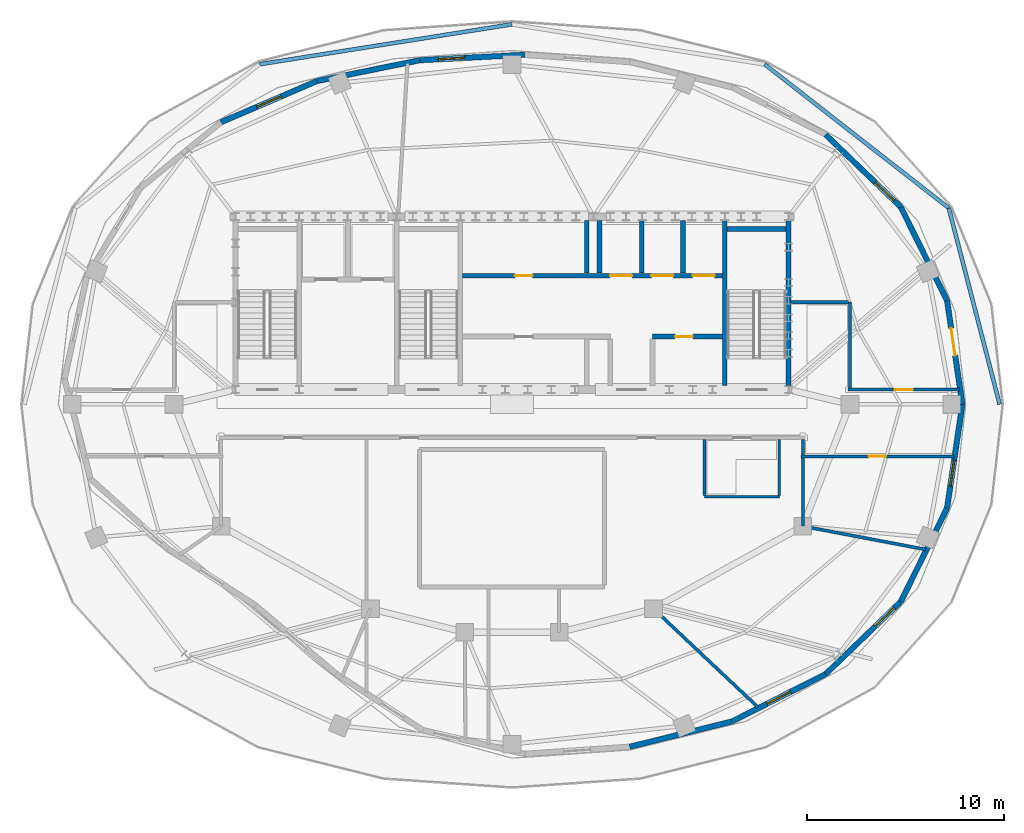
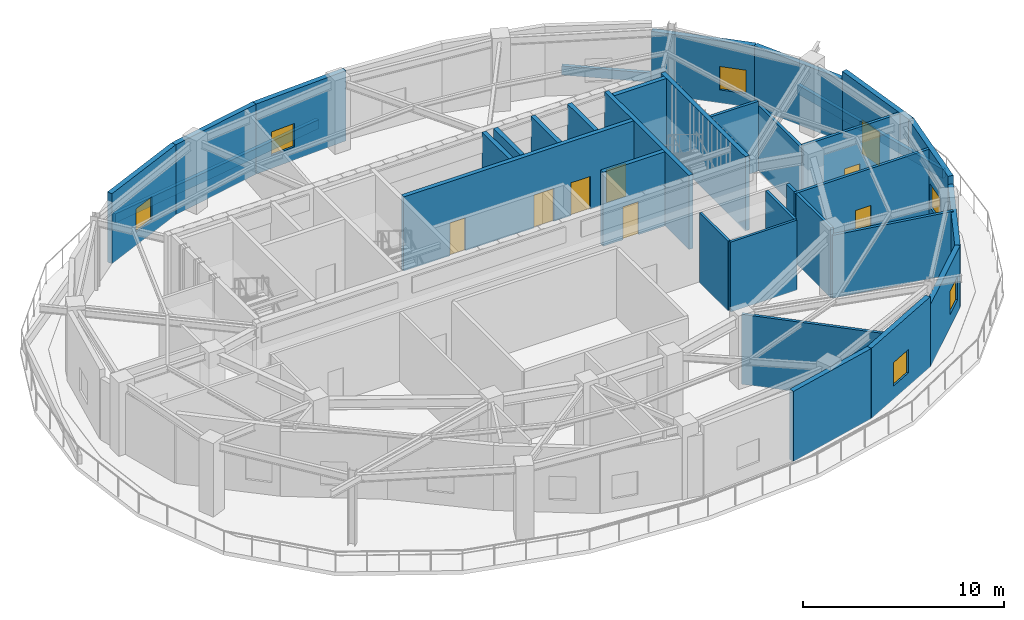
# One storey, part 5 of 10: 34 walls, 8 doors, 6 windows, 14 openings.
"""IFC4 building model written with IfcOpenShell, lengths in metres."""

import ifcopenshell
import ifcopenshell.guid

model = None  # the IFC model being written
_history = None  # IfcOwnerHistory: only IFC2X3 demands one
_inside = {}  # id of a spatial element -> (the spatial element, [elements in it])
_under = {}  # id of a project, library or spatial element -> (it, [spatial elements below it])
_declared = {}  # id of a project -> (the project, [libraries it declares])
_typed = {}  # id of a type object -> (the type object, [elements of that type])
_made_of = {}  # id of a material, layer set ... -> (it, [elements and type objects made of it])


def new_model(schema):
    """Start an empty IFC model of exactly this schema.

    Asked for "IFC4X3", IfcOpenShell would pick the latest addendum, in which some entities
    have other attributes; the version numbers below select the first issue.
    IFC2X3 requires an IfcOwnerHistory on every rooted entity: one is made here for all.
    """
    global model, _history
    if schema == "IFC4X3":
        model = ifcopenshell.file(schema_version=(4, 3, 0, 0))
    else:
        model = ifcopenshell.file(schema=schema)
    _inside.clear()
    _under.clear()
    _declared.clear()
    _typed.clear()
    _made_of.clear()
    _history = None
    if model.schema == "IFC2X3":
        org = make("IfcOrganization", Name="unknown")
        user = make(
            "IfcPersonAndOrganization",
            ThePerson=make("IfcPerson", FamilyName="unknown"),
            TheOrganization=org,
        )
        app = make(
            "IfcApplication",
            ApplicationDeveloper=org,
            Version="unknown",
            ApplicationFullName="unknown",
            ApplicationIdentifier="unknown",
        )
        _history = make(
            "IfcOwnerHistory",
            OwningUser=user,
            OwningApplication=app,
            ChangeAction="ADDED",
            CreationDate=0,
        )
    return model


def make(cls, **values):
    """One entity of the class cls with the attributes given. An attribute that is None is left unset."""
    return model.create_entity(
        cls, **{name: value for name, value in values.items() if value is not None}
    )


def rooted(cls, **values):
    """An entity with a GlobalId (a new one), such as an element, a storey or a relation."""
    return make(cls, GlobalId=ifcopenshell.guid.new(), OwnerHistory=_history, **values)


def si_unit(unit_type, name, prefix=None):
    """IfcSIUnit, for example si_unit("LENGTHUNIT", "METRE", prefix="MILLI")."""
    return make("IfcSIUnit", UnitType=unit_type, Prefix=prefix, Name=name)


def assignment(units):
    """IfcUnitAssignment: the units of a project."""
    return None if units is None else make("IfcUnitAssignment", Units=units)


def point(xyz):
    """IfcCartesianPoint."""
    return None if xyz is None else make("IfcCartesianPoint", Coordinates=xyz)


def direction(xyz):
    """IfcDirection."""
    return None if xyz is None else make("IfcDirection", DirectionRatios=xyz)


def frame(location, z_axis=None, x_axis=None):
    """IfcAxis2Placement3D, a coordinate frame: its origin and axes. An axis left out is left unset."""
    return make(
        "IfcAxis2Placement3D",
        Location=point(location),
        Axis=direction(z_axis),
        RefDirection=direction(x_axis),
    )


def frame_2d(location, x_axis=None):
    """IfcAxis2Placement2D, a coordinate frame in the plane: its origin and x axis."""
    return make(
        "IfcAxis2Placement2D", Location=point(location), RefDirection=direction(x_axis)
    )


def origin():
    """The frame at (0, 0, 0) with its axes left unset."""
    return frame((0.0, 0.0, 0.0))


def place(relative_to, where):
    """IfcLocalPlacement: puts the frame where relative to a parent placement (None: the world)."""
    return make(
        "IfcLocalPlacement", PlacementRelTo=relative_to, RelativePlacement=where
    )


def context(
    kind, dimensions, precision=None, world=None, true_north=None, identifier=None
):
    """IfcGeometricRepresentationContext, for example the 3D "Model" context."""
    return make(
        "IfcGeometricRepresentationContext",
        ContextIdentifier=identifier,
        ContextType=kind,
        CoordinateSpaceDimension=dimensions,
        Precision=precision,
        WorldCoordinateSystem=world,
        TrueNorth=true_north,
    )


def subcontext(parent, identifier, kind, view, scale=None):
    """IfcGeometricRepresentationSubContext, for example "Body" below "Model"."""
    return make(
        "IfcGeometricRepresentationSubContext",
        ContextIdentifier=identifier,
        ContextType=kind,
        ParentContext=parent,
        TargetScale=scale,
        TargetView=view,
    )


def project(units=None, contexts=None):
    """IfcProject with its units and contexts."""
    return rooted(
        "IfcProject",
        Name="project",
        RepresentationContexts=contexts,
        UnitsInContext=assignment(units),
    )


def spatial(cls, under=None, at=None, **own):
    """A site, building, storey or space (cls), placed at a placement, below another one or the project."""
    s = rooted(cls, ObjectPlacement=at, **own)
    if under is not None:
        _under.setdefault(under.id(), (under, []))[1].append(s)
    return s


def profile(cls, at=None, kind="AREA", **sizes):
    """A parametric profile (cls). Its sizes go by their IFC names, for example OverallWidth=200.0."""
    return make(cls, ProfileType=kind, Position=at, **sizes)


def rectangle(**sizes):
    """IfcRectangleProfileDef."""
    return profile("IfcRectangleProfileDef", **sizes)


def extrude(swept, where, along, depth):
    """IfcExtrudedAreaSolid: the profile swept, set in the frame where, extruded along a direction by depth."""
    return make(
        "IfcExtrudedAreaSolid",
        SweptArea=swept,
        Position=where,
        ExtrudedDirection=direction(along),
        Depth=depth,
    )


def shape(context_of_items, identifier, shape_type, items):
    """IfcShapeRepresentation: the items that make up one representation, for example the "Body"."""
    return make(
        "IfcShapeRepresentation",
        ContextOfItems=context_of_items,
        RepresentationIdentifier=identifier,
        RepresentationType=shape_type,
        Items=items,
    )


def material(Name=None, Category=None):
    """IfcMaterial."""
    return make("IfcMaterial", Name=Name, Category=Category)


def layer(
    of_material, thickness, ventilated=None, Name=None, Category=None, Priority=None
):
    """IfcMaterialLayer: one layer of a wall or slab, of a material (None: an air gap)."""
    return make(
        "IfcMaterialLayer",
        Material=of_material,
        LayerThickness=thickness,
        IsVentilated=ventilated,
        Name=Name,
        Category=Category,
        Priority=Priority,
    )


def layer_set(layers, Name=None):
    """IfcMaterialLayerSet."""
    return make("IfcMaterialLayerSet", MaterialLayers=layers, LayerSetName=Name)


def made_of(thing, what):
    """Note that an element or type object is made of a material, layer set ...; save() writes the relation."""
    if what is not None:
        _made_of.setdefault(what.id(), (what, []))[1].append(thing)
    return thing


def type_object(cls, material=None, **own):
    """A type object (cls), such as IfcWallType, which elements share."""
    return made_of(rooted(cls, **own), material)


def element(
    cls,
    number,
    at=None,
    inside=None,
    cuts=None,
    type_object=None,
    material=None,
    context=None,
    identifier="Body",
    shape_type=None,
    held_by="IfcProductDefinitionShape",
    body=None,
    shapes=None,
    **own,
):
    """One element of the class cls, such as IfcWall. Its Tag is "e" and its number.

    at: its placement. inside: the storey or other place that contains it. cuts: it is an
    opening in that element (IfcRelVoidsElement). A single representation is given by context,
    identifier, shape_type and body (its items); several are given by shapes. held_by: the class
    of the entity that holds the representations. save() writes the other relations.
    """
    e = rooted(cls, Tag="e%d" % number, ObjectPlacement=at, **own)
    if body is not None:
        shapes = [shape(context, identifier, shape_type, body)]
    if shapes is not None:
        e.Representation = make(held_by, Representations=shapes)
    if inside is not None:
        _inside.setdefault(inside.id(), (inside, []))[1].append(e)
    if cuts is not None:
        rooted(
            "IfcRelVoidsElement", RelatingBuildingElement=cuts, RelatedOpeningElement=e
        )
    if type_object is not None:
        _typed.setdefault(type_object.id(), (type_object, []))[1].append(e)
    return made_of(e, material)


def fill(opening, filler):
    """IfcRelFillsElement: the door or window that sits in an opening."""
    return rooted(
        "IfcRelFillsElement",
        RelatingOpeningElement=opening,
        RelatedBuildingElement=filler,
    )


def aggregate(whole, parts):
    """IfcRelAggregates: a whole, such as a stair, and the parts it consists of."""
    return rooted("IfcRelAggregates", RelatingObject=whole, RelatedObjects=parts)


def save(model, path):
    """Write the relations noted so far, then the file.

    IfcRelAggregates (storeys below a building ...), IfcRelContainedInSpatialStructure (elements
    in a storey), IfcRelDefinesByType, IfcRelAssociatesMaterial and IfcRelDeclares: one each for
    every whole, place, type object, material and project.
    """
    for whole, parts in _under.values():
        aggregate(whole, parts)
    for where, things in _inside.values():
        rooted(
            "IfcRelContainedInSpatialStructure",
            RelatedElements=things,
            RelatingStructure=where,
        )
    for kind, things in _typed.values():
        rooted("IfcRelDefinesByType", RelatedObjects=things, RelatingType=kind)
    for what, things in _made_of.values():
        rooted("IfcRelAssociatesMaterial", RelatedObjects=things, RelatingMaterial=what)
    for by, libraries in _declared.values():
        rooted("IfcRelDeclares", RelatingContext=by, RelatedDefinitions=libraries)
    model.write(path)


model = new_model("IFC4")

# Units and contexts
model_context = context("Model", 3, precision=1e-05, world=origin(), true_north=direction((0.0, 1.0)))
body_context = subcontext(model_context, "Body", "Model", "MODEL_VIEW")
ifc_project = project(units=[si_unit("LENGTHUNIT", "METRE"), si_unit("AREAUNIT", "SQUARE_METRE"), si_unit("VOLUMEUNIT", "CUBIC_METRE"), si_unit("PLANEANGLEUNIT", "RADIAN"), si_unit("MASSUNIT", "GRAM", prefix="KILO")], contexts=[model_context])

# Site, building, storey
site_placement = place(None, origin())
site = spatial("IfcSite", under=ifc_project, at=site_placement, CompositionType="ELEMENT")
building_placement = place(site_placement, origin())
building = spatial("IfcBuilding", under=site, at=building_placement, Name="Haldorwick Loom Tower", CompositionType="ELEMENT")
storey_placement = place(building_placement, frame((0.0, 0.0, 273.0)))
storey = spatial("IfcBuildingStorey", under=building, at=storey_placement, Name="L74", CompositionType="ELEMENT", Elevation=273.0)

# Wall, opening, door
ifc_material_1 = material(Name="Pressed Clay Face Brick and Insulated Masonry Backup Assembly", Category="masonry")
ifc_layer_1 = layer(ifc_material_1, 0.280029296875, Name="Pressed Clay Face Brick and Insulated Masonry Backup Assembly", Category="masonry")
ifc_layer_set_1 = layer_set([ifc_layer_1], Name="Pressed Clay Face Brick and Insulated Masonry Backup Assembly")
wall_type_1 = type_object("IfcWallType", Name="ARC-WL-EXT280", PredefinedType="STANDARD", material=ifc_layer_set_1)
wall_1_placement = place(storey_placement, frame((58.9208984375, 26.0, 0.0), z_axis=(0.0, 0.0, 1.0), x_axis=(-0.146373047203, 0.989229463296, 0.0)))
wall_1 = element("IfcWall", 1, at=wall_1_placement, inside=storey, type_object=wall_type_1, Name="L74 Brick Pier and Spandrel Wall 1", PredefinedType="STANDARD", context=body_context, shape_type="SweptSolid", body=[
    extrude(rectangle(XDim=5.3408203125, YDim=0.280029296875, at=frame_2d((2.67041015625, 0.0))), origin(), (0.0, 0.0, 1.0), 4.260009765625),
])
opening_1_placement = place(wall_1_placement, frame((2.513916015625, 0.0, 0.0)))
opening_1 = element("IfcOpeningElement", 2, at=opening_1_placement, cuts=wall_1, Name="Opening D-TR14", PredefinedType="OPENING", context=body_context, shape_type="SweptSolid", body=[
    extrude(rectangle(XDim=1.39990234375, YDim=2.0400390625, at=frame_2d((0.699951171875, 1.02001953125))), frame((0.0, 0.14990234375, 0.0), z_axis=(0.0, -1.0, 0.0), x_axis=(1.0, 0.0, 0.0)), (0.0, 0.0, 1.0), 0.300048828125),
])
ifc_material_2 = material(Name="Thermally Broken Anodized Aluminium Curtain Wall Framing", Category="aluminium")
door_type_1 = type_object("IfcDoorType", Name="ARC-DR-EXT-TER", OperationType="DOUBLE_DOOR_SINGLE_SWING", PredefinedType="DOOR", material=ifc_material_2)
door_1_placement = place(opening_1_placement, origin())
door_1 = element("IfcDoor", 3, at=door_1_placement, inside=storey, type_object=door_type_1, Name="L74 Outdoor Terrace Door SLB-L74-TERR-1", OperationType="DOUBLE_DOOR_SINGLE_SWING", OverallHeight=2.0400390625, OverallWidth=1.39990234375, PredefinedType="DOOR", context=body_context, shape_type="SweptSolid", body=[
    extrude(rectangle(XDim=1.39990234375, YDim=2.0400390625, at=frame_2d((0.699951171875, 1.02001953125))), frame((0.0, 0.02490234375, 0.0), z_axis=(0.0, -1.0, 0.0), x_axis=(1.0, 0.0, 0.0)), (0.0, 0.0, 1.0), 0.050048828125),
])
fill(opening_1, door_1)

# Wall
wall_2_placement = place(storey_placement, frame((58.13916015625, 31.283203125, 0.0), z_axis=(0.0, 0.0, 1.0), x_axis=(-0.443347832911, 0.89634965223, 0.0)))
element("IfcWall", 4, at=wall_2_placement, inside=storey, type_object=wall_type_1, Name="L74 Brick Pier and Spandrel Wall 2", PredefinedType="STANDARD", context=body_context, shape_type="SweptSolid", body=[
    extrude(rectangle(XDim=5.310791015625, YDim=0.280029296875, at=frame_2d((2.6552734375, 0.0))), origin(), (0.0, 0.0, 1.0), 3.76904296875),
])

# Wall, opening, window
wall_3_placement = place(storey_placement, frame((55.78466796875, 36.04345703125, 0.0), z_axis=(0.0, 0.0, 1.0), x_axis=(-0.720396737151, 0.693562211415, 0.0)))
wall_3 = element("IfcWall", 5, at=wall_3_placement, inside=storey, type_object=wall_type_1, Name="L74 Brick Pier and Spandrel Wall 3", PredefinedType="STANDARD", context=body_context, shape_type="SweptSolid", body=[
    extrude(rectangle(XDim=5.313232421875, YDim=0.280029296875, at=frame_2d((2.65673828125, 0.0))), origin(), (0.0, 0.0, 1.0), 3.76904296875),
])
opening_2_placement = place(wall_3_placement, frame((0.45947265625, 0.0, 0.800048828125)))
opening_2 = element("IfcOpeningElement", 6, at=opening_2_placement, cuts=wall_3, Name="Opening W-02B", PredefinedType="OPENING", context=body_context, shape_type="SweptSolid", body=[
    extrude(rectangle(XDim=1.35009765625, YDim=1.419921875, at=frame_2d((0.675048828125, 0.7099609375))), frame((0.0, 0.14990234375, 0.0), z_axis=(0.0, -1.0, 0.0), x_axis=(1.0, 0.0, 0.0)), (0.0, 0.0, 1.0), 0.300048828125),
])
ifc_material_3 = material(Name="Triple-Glazed Low-E Argon Insulated Glazing Unit", Category="glass")
window_type = type_object("IfcWindowType", Name="ARC-WIN-W135", PartitioningType="SINGLE_PANEL", PredefinedType="WINDOW", material=ifc_material_3)
window_1_placement = place(opening_2_placement, origin())
window_1 = element("IfcWindow", 7, at=window_1_placement, inside=storey, type_object=window_type, Name="L74 Deep-Set Zone 7A Window 3", OverallHeight=1.419921875, OverallWidth=1.35009765625, PartitioningType="SINGLE_PANEL", PredefinedType="WINDOW", context=body_context, shape_type="SweptSolid", body=[
    extrude(rectangle(XDim=1.35009765625, YDim=1.419921875, at=frame_2d((0.675048828125, 0.7099609375))), frame((0.0, 0.030029296875, 0.0), z_axis=(0.0, -1.0, 0.0), x_axis=(1.0, 0.0, 0.0)), (0.0, 0.0, 1.0), 0.06005859375),
])
fill(opening_2, window_1)

wall_4_placement = place(storey_placement, frame((36.6494140625, 43.7900390625, 0.0), z_axis=(0.0, 0.0, 1.0), x_axis=(-0.998661002184, -0.051732027957, 0.0)))
wall_4 = element("IfcWall", 8, at=wall_4_placement, inside=storey, type_object=wall_type_1, Name="L74 Brick Pier and Spandrel Wall 7", PredefinedType="STANDARD", context=body_context, shape_type="SweptSolid", body=[
    extrude(rectangle(XDim=5.346923828125, YDim=0.280029296875, at=frame_2d((2.67333984375, 0.0))), origin(), (0.0, 0.0, 1.0), 4.260009765625),
])
opening_3_placement = place(wall_4_placement, frame((3.053955078125, 0.0, 0.800048828125)))
opening_3 = element("IfcOpeningElement", 9, at=opening_3_placement, cuts=wall_4, Name="Opening W-02B", PredefinedType="OPENING", context=body_context, shape_type="SweptSolid", body=[
    extrude(rectangle(XDim=1.35009765625, YDim=1.419921875, at=frame_2d((0.675048828125, 0.7099609375))), frame((0.0, 0.14990234375, 0.0), z_axis=(0.0, -1.0, 0.0), x_axis=(1.0, 0.0, 0.0)), (0.0, 0.0, 1.0), 0.300048828125),
])
window_2_placement = place(opening_3_placement, origin())
window_2 = element("IfcWindow", 10, at=window_2_placement, inside=storey, type_object=window_type, Name="L74 Deep-Set Zone 7A Window 7", OverallHeight=1.419921875, OverallWidth=1.35009765625, PartitioningType="SINGLE_PANEL", PredefinedType="WINDOW", context=body_context, shape_type="SweptSolid", body=[
    extrude(rectangle(XDim=1.35009765625, YDim=1.419921875, at=frame_2d((0.675048828125, 0.7099609375))), frame((0.0, 0.030029296875, 0.0), z_axis=(0.0, -1.0, 0.0), x_axis=(1.0, 0.0, 0.0)), (0.0, 0.0, 1.0), 0.06005859375),
])
fill(opening_3, window_2)

# Wall
wall_5_placement = place(storey_placement, frame((31.3095703125, 43.513427734375, 0.0), z_axis=(0.0, 0.0, 1.0), x_axis=(-0.980058594751, -0.198708708553, 0.0)))
element("IfcWall", 11, at=wall_5_placement, inside=storey, type_object=wall_type_1, Name="L74 Brick Pier and Spandrel Wall 8", PredefinedType="STANDARD", context=body_context, shape_type="SweptSolid", body=[
    extrude(rectangle(XDim=5.3408203125, YDim=0.280029296875, at=frame_2d((2.67041015625, 0.0))), origin(), (0.0, 0.0, 1.0), 4.260009765625),
])

# Wall, opening, window
wall_6_placement = place(storey_placement, frame((26.0751953125, 42.4521484375, 0.0), z_axis=(0.0, 0.0, 1.0), x_axis=(-0.918881279203, -0.394534149003, 0.0)))
wall_6 = element("IfcWall", 12, at=wall_6_placement, inside=storey, type_object=wall_type_1, Name="L74 Brick Pier and Spandrel Wall 9", PredefinedType="STANDARD", context=body_context, shape_type="SweptSolid", body=[
    extrude(rectangle(XDim=5.318603515625, YDim=0.280029296875, at=frame_2d((2.6591796875, 0.0))), origin(), (0.0, 0.0, 1.0), 4.260009765625),
])
opening_4_placement = place(wall_6_placement, frame((1.984375, 0.0, 0.800048828125)))
opening_4 = element("IfcOpeningElement", 13, at=opening_4_placement, cuts=wall_6, Name="Opening W-02B", PredefinedType="OPENING", context=body_context, shape_type="SweptSolid", body=[
    extrude(rectangle(XDim=1.35009765625, YDim=1.419921875, at=frame_2d((0.675048828125, 0.7099609375))), frame((0.0, 0.14990234375, 0.0), z_axis=(0.0, -1.0, 0.0), x_axis=(1.0, 0.0, 0.0)), (0.0, 0.0, 1.0), 0.300048828125),
])
window_3_placement = place(opening_4_placement, origin())
window_3 = element("IfcWindow", 14, at=window_3_placement, inside=storey, type_object=window_type, Name="L74 Deep-Set Zone 7A Window 9", OverallHeight=1.419921875, OverallWidth=1.35009765625, PartitioningType="SINGLE_PANEL", PredefinedType="WINDOW", context=body_context, shape_type="SweptSolid", body=[
    extrude(rectangle(XDim=1.35009765625, YDim=1.419921875, at=frame_2d((0.675048828125, 0.7099609375))), frame((0.0, 0.030029296875, 0.0), z_axis=(0.0, -1.0, 0.0), x_axis=(1.0, 0.0, 0.0)), (0.0, 0.0, 1.0), 0.06005859375),
])
fill(opening_4, window_3)

# Wall
wall_7_placement = place(storey_placement, frame((41.990234375, 8.57421875, 0.0), z_axis=(0.0, 0.0, 1.0), x_axis=(0.970777153051, 0.239982747534, 0.0)))
element("IfcWall", 15, at=wall_7_placement, inside=storey, type_object=wall_type_1, Name="L74 Brick Pier and Spandrel Wall 20", PredefinedType="STANDARD", context=body_context, shape_type="SweptSolid", body=[
    extrude(rectangle(XDim=5.357177734375, YDim=0.280029296875, at=frame_2d((2.6787109375, 0.0))), origin(), (0.0, 0.0, 1.0), 4.260009765625),
])

# Wall, opening, window
wall_8_placement = place(storey_placement, frame((47.19091796875, 9.85986328125, 0.0), z_axis=(0.0, 0.0, 1.0), x_axis=(0.892277906016, 0.451486587216, 0.0)))
wall_8 = element("IfcWall", 16, at=wall_8_placement, inside=storey, type_object=wall_type_1, Name="L74 Brick Pier and Spandrel Wall 21", PredefinedType="STANDARD", context=body_context, shape_type="SweptSolid", body=[
    extrude(rectangle(XDim=5.341552734375, YDim=0.280029296875, at=frame_2d((2.6708984375, 0.0))), origin(), (0.0, 0.0, 1.0), 4.260009765625),
])
opening_5_placement = place(wall_8_placement, frame((1.99560546875, 0.0, 0.800048828125)))
opening_5 = element("IfcOpeningElement", 17, at=opening_5_placement, cuts=wall_8, Name="Opening W-02B", PredefinedType="OPENING", context=body_context, shape_type="SweptSolid", body=[
    extrude(rectangle(XDim=1.35009765625, YDim=1.419921875, at=frame_2d((0.675048828125, 0.7099609375))), frame((0.0, 0.14990234375, 0.0), z_axis=(0.0, -1.0, 0.0), x_axis=(1.0, 0.0, 0.0)), (0.0, 0.0, 1.0), 0.300048828125),
])
window_4_placement = place(opening_5_placement, origin())
window_4 = element("IfcWindow", 18, at=window_4_placement, inside=storey, type_object=window_type, Name="L74 Deep-Set Zone 7A Window 21", OverallHeight=1.419921875, OverallWidth=1.35009765625, PartitioningType="SINGLE_PANEL", PredefinedType="WINDOW", context=body_context, shape_type="SweptSolid", body=[
    extrude(rectangle(XDim=1.35009765625, YDim=1.419921875, at=frame_2d((0.675048828125, 0.7099609375))), frame((0.0, 0.030029296875, 0.0), z_axis=(0.0, -1.0, 0.0), x_axis=(1.0, 0.0, 0.0)), (0.0, 0.0, 1.0), 0.06005859375),
])
fill(opening_5, window_4)

wall_9_placement = place(storey_placement, frame((51.95703125, 12.271484375, 0.0), z_axis=(0.0, 0.0, 1.0), x_axis=(0.720396737151, 0.693562211415, 0.0)))
wall_9 = element("IfcWall", 19, at=wall_9_placement, inside=storey, type_object=wall_type_1, Name="L74 Brick Pier and Spandrel Wall 22", PredefinedType="STANDARD", context=body_context, shape_type="SweptSolid", body=[
    extrude(rectangle(XDim=5.313232421875, YDim=0.280029296875, at=frame_2d((2.65673828125, 0.0))), origin(), (0.0, 0.0, 1.0), 3.76904296875),
])
opening_6_placement = place(wall_9_placement, frame((3.50390625, 0.0, 0.800048828125)))
opening_6 = element("IfcOpeningElement", 20, at=opening_6_placement, cuts=wall_9, Name="Opening W-02B", PredefinedType="OPENING", context=body_context, shape_type="SweptSolid", body=[
    extrude(rectangle(XDim=1.35009765625, YDim=1.419921875, at=frame_2d((0.675048828125, 0.7099609375))), frame((0.0, 0.14990234375, 0.0), z_axis=(0.0, -1.0, 0.0), x_axis=(1.0, 0.0, 0.0)), (0.0, 0.0, 1.0), 0.300048828125),
])
window_5_placement = place(opening_6_placement, origin())
window_5 = element("IfcWindow", 21, at=window_5_placement, inside=storey, type_object=window_type, Name="L74 Deep-Set Zone 7A Window 22", OverallHeight=1.419921875, OverallWidth=1.35009765625, PartitioningType="SINGLE_PANEL", PredefinedType="WINDOW", context=body_context, shape_type="SweptSolid", body=[
    extrude(rectangle(XDim=1.35009765625, YDim=1.419921875, at=frame_2d((0.675048828125, 0.7099609375))), frame((0.0, 0.030029296875, 0.0), z_axis=(0.0, -1.0, 0.0), x_axis=(1.0, 0.0, 0.0)), (0.0, 0.0, 1.0), 0.06005859375),
])
fill(opening_6, window_5)

# Wall
wall_10_placement = place(storey_placement, frame((55.78466796875, 15.95654296875, 0.0), z_axis=(0.0, 0.0, 1.0), x_axis=(0.443347832911, 0.89634965223, 0.0)))
element("IfcWall", 22, at=wall_10_placement, inside=storey, type_object=wall_type_1, Name="L74 Brick Pier and Spandrel Wall 23", PredefinedType="STANDARD", context=body_context, shape_type="SweptSolid", body=[
    extrude(rectangle(XDim=5.310791015625, YDim=0.280029296875, at=frame_2d((2.6552734375, 0.0))), origin(), (0.0, 0.0, 1.0), 3.76904296875),
])

# Wall, opening, window
wall_11_placement = place(storey_placement, frame((58.13916015625, 20.716796875, 0.0), z_axis=(0.0, 0.0, 1.0), x_axis=(0.146373047203, 0.989229463296, 0.0)))
wall_11 = element("IfcWall", 23, at=wall_11_placement, inside=storey, type_object=wall_type_1, Name="L74 Brick Pier and Spandrel Wall 24", PredefinedType="STANDARD", context=body_context, shape_type="SweptSolid", body=[
    extrude(rectangle(XDim=5.3408203125, YDim=0.280029296875, at=frame_2d((2.67041015625, 0.0))), origin(), (0.0, 0.0, 1.0), 4.260009765625),
])
opening_7_placement = place(wall_11_placement, frame((1.12255859375, 0.0, 0.800048828125)))
opening_7 = element("IfcOpeningElement", 24, at=opening_7_placement, cuts=wall_11, Name="Opening W-02B", PredefinedType="OPENING", context=body_context, shape_type="SweptSolid", body=[
    extrude(rectangle(XDim=1.35009765625, YDim=1.419921875, at=frame_2d((0.675048828125, 0.7099609375))), frame((0.0, 0.14990234375, 0.0), z_axis=(0.0, -1.0, 0.0), x_axis=(1.0, 0.0, 0.0)), (0.0, 0.0, 1.0), 0.300048828125),
])
window_6_placement = place(opening_7_placement, origin())
window_6 = element("IfcWindow", 25, at=window_6_placement, inside=storey, type_object=window_type, Name="L74 Deep-Set Zone 7A Window 24", OverallHeight=1.419921875, OverallWidth=1.35009765625, PartitioningType="SINGLE_PANEL", PredefinedType="WINDOW", context=body_context, shape_type="SweptSolid", body=[
    extrude(rectangle(XDim=1.35009765625, YDim=1.419921875, at=frame_2d((0.675048828125, 0.7099609375))), frame((0.0, 0.030029296875, 0.0), z_axis=(0.0, -1.0, 0.0), x_axis=(1.0, 0.0, 0.0)), (0.0, 0.0, 1.0), 0.06005859375),
])
fill(opening_7, window_6)

# Wall, opening, door
ifc_material_4 = material(Name="Fire-Rated Type X Gypsum Stud Assembly EI 60")
ifc_layer_2 = layer(ifc_material_4, 0.159912109375, Name="Fire-Rated Type X Gypsum Stud Assembly EI 60")
ifc_layer_set_2 = layer_set([ifc_layer_2], Name="Fire-Rated Type X Gypsum Stud Assembly EI 60")
wall_type_2 = type_object("IfcWallType", Name="ARC-WL-FIRE160", PredefinedType="PARTITIONING", material=ifc_layer_set_2)
wall_12_placement = place(storey_placement, frame((50.699951171875, 23.35009765625, 0.0), z_axis=(0.0, 0.0, 1.0), x_axis=(1.0, 0.0, 0.0)))
wall_12 = element("IfcWall", 26, at=wall_12_placement, inside=storey, type_object=wall_type_2, Name="L74 Residential Fire Partition L74-CR-SPE", PredefinedType="PARTITIONING", context=body_context, shape_type="SweptSolid", body=[
    extrude(rectangle(XDim=7.783447265625, YDim=0.159912109375, at=frame_2d((3.8916015625, 0.0))), origin(), (0.0, 0.0, 1.0), 4.2451171875),
])
opening_8_placement = place(wall_12_placement, frame((3.441650390625, 0.0, 0.0)))
opening_8 = element("IfcOpeningElement", 27, at=opening_8_placement, cuts=wall_12, Name="Opening D-FD60A", PredefinedType="OPENING", context=body_context, shape_type="SweptSolid", body=[
    extrude(rectangle(XDim=0.89990234375, YDim=2.0, at=frame_2d((0.449951171875, 1.0))), frame((0.0, 0.08984375, 0.0), z_axis=(0.0, -1.0, 0.0), x_axis=(1.0, 0.0, 0.0)), (0.0, 0.0, 1.0), 0.179931640625),
])
ifc_material_5 = material(Name="Hollow Steel Fire Door Assembly", Category="steel")
door_type_2 = type_object("IfcDoorType", Name="ARC-DR-FD60-90", OperationType="NOTDEFINED", PredefinedType="DOOR", material=ifc_material_5)
door_2_placement = place(opening_8_placement, origin())
door_2 = element("IfcDoor", 28, at=door_2_placement, inside=storey, type_object=door_type_2, Name="L74 L74 Central Residential Corridor to Tenant Committee Meeting Room 4 ", OperationType="SINGLE_SWING_RIGHT", OverallHeight=2.0, OverallWidth=0.89990234375, PredefinedType="DOOR", context=body_context, shape_type="SweptSolid", body=[
    extrude(rectangle(XDim=0.89990234375, YDim=2.0, at=frame_2d((0.449951171875, 1.0))), frame((0.0, 0.02490234375, 0.0), z_axis=(0.0, -1.0, 0.0), x_axis=(1.0, 0.0, 0.0)), (0.0, 0.0, 1.0), 0.050048828125),
])
fill(opening_8, door_2)

# Wall
wall_13_placement = place(storey_placement, frame((50.800048828125, 23.43310546875, 0.0), z_axis=(0.0, 0.0, 1.0), x_axis=(0.0, 1.0, 0.0)))
element("IfcWall", 29, at=wall_13_placement, inside=storey, type_object=wall_type_2, Name="L74 Residential Fire Partition L74-CR-STE", PredefinedType="PARTITIONING", context=body_context, shape_type="SweptSolid", body=[
    extrude(rectangle(XDim=0.783935546875, YDim=0.159912109375, at=frame_2d((0.39208984375, 0.0))), origin(), (0.0, 0.0, 1.0), 4.2451171875),
])

# Wall, opening, door
wall_14_placement = place(storey_placement, frame((53.10009765625, 26.75, 0.0), z_axis=(0.0, 0.0, 1.0), x_axis=(1.0, 0.0, 0.0)))
wall_14 = element("IfcWall", 30, at=wall_14_placement, inside=storey, type_object=wall_type_2, Name="L74 Residential Fire Partition L74-CR-NEL", PredefinedType="PARTITIONING", context=body_context, shape_type="SweptSolid", body=[
    extrude(rectangle(XDim=5.664306640625, YDim=0.159912109375, at=frame_2d((2.83203125, 0.0))), origin(), (0.0, 0.0, 1.0), 4.2451171875),
])
opening_9_placement = place(wall_14_placement, frame((2.382080078125, 0.0, 0.0)))
opening_9 = element("IfcOpeningElement", 31, at=opening_9_placement, cuts=wall_14, Name="Opening D-FD60A", PredefinedType="OPENING", context=body_context, shape_type="SweptSolid", body=[
    extrude(rectangle(XDim=0.89990234375, YDim=2.0, at=frame_2d((0.449951171875, 1.0))), frame((0.0, 0.08984375, 0.0), z_axis=(0.0, -1.0, 0.0), x_axis=(1.0, 0.0, 0.0)), (0.0, 0.0, 1.0), 0.179931640625),
])
door_3_placement = place(opening_9_placement, frame((0.89990234375, 0.0, 0.0), z_axis=(0.0, 0.0, 1.0), x_axis=(-1.0, 0.0, 0.0)))
door_3 = element("IfcDoor", 32, at=door_3_placement, inside=storey, type_object=door_type_2, Name="L74 Community Teaching Classroom 7 to L74 Central Residential Corridor D", OperationType="SINGLE_SWING_RIGHT", OverallHeight=2.0, OverallWidth=0.89990234375, PredefinedType="DOOR", context=body_context, shape_type="SweptSolid", body=[
    extrude(rectangle(XDim=0.89990234375, YDim=2.0, at=frame_2d((0.449951171875, 1.0))), frame((0.0, 0.02490234375, 0.0), z_axis=(0.0, -1.0, 0.0), x_axis=(1.0, 0.0, 0.0)), (0.0, 0.0, 1.0), 0.050048828125),
])
fill(opening_9, door_3)

# Walls
wall_15_placement = place(storey_placement, frame((53.199951171875, 26.8330078125, 0.0), z_axis=(0.0, 0.0, 1.0), x_axis=(0.0, 1.0, 0.0)))
element("IfcWall", 33, at=wall_15_placement, inside=storey, type_object=wall_type_2, Name="L74 Residential Fire Partition L74-CR-E0", PredefinedType="PARTITIONING", context=body_context, shape_type="SweptSolid", body=[
    extrude(rectangle(XDim=4.366943359375, YDim=0.159912109375, at=frame_2d((2.18359375, 0.0))), origin(), (0.0, 0.0, 1.0), 3.97705078125),
])
wall_16_placement = place(storey_placement, frame((50.193115234375, 31.199951171875, 0.0), z_axis=(0.0, 0.0, 1.0), x_axis=(1.0, 0.0, 0.0)))
element("IfcWall", 34, at=wall_16_placement, inside=storey, type_object=wall_type_2, Name="L74 Residential Fire Partition L74-CR-ENJ", PredefinedType="PARTITIONING", context=body_context, shape_type="SweptSolid", body=[
    extrude(rectangle(XDim=2.923828125, YDim=0.159912109375, at=frame_2d((1.4619140625, 0.0))), origin(), (0.0, 0.0, 1.0), 4.2451171875),
])
wall_17_placement = place(storey_placement, frame((50.800048828125, 19.800048828125, 0.0), z_axis=(0.0, 0.0, 1.0), x_axis=(0.982514497746, -0.186186094323, 0.0)))
element("IfcWall", 35, at=wall_17_placement, inside=storey, type_object=wall_type_2, Name="L74 Residential Fire Partition L74-ICR-02", PredefinedType="PARTITIONING", context=body_context, shape_type="SweptSolid", body=[
    extrude(rectangle(XDim=6.361083984375, YDim=0.159912109375, at=frame_2d((3.1806640625, 0.0))), origin(), (0.0, 0.0, 1.0), 3.822021484375),
])
wall_18_placement = place(storey_placement, frame((43.199951171875, 15.60009765625, 0.0), z_axis=(0.0, 0.0, 1.0), x_axis=(0.727710787638, -0.685884107963, 0.0)))
element("IfcWall", 36, at=wall_18_placement, inside=storey, type_object=wall_type_2, Name="L74 Residential Fire Partition L74-ICR-04", PredefinedType="PARTITIONING", context=body_context, shape_type="SweptSolid", body=[
    extrude(rectangle(XDim=7.313720703125, YDim=0.159912109375, at=frame_2d((3.65673828125, 0.0))), origin(), (0.0, 0.0, 1.0), 4.2451171875),
])
wall_19_placement = place(storey_placement, frame((50.800048828125, 23.26708984375, 0.0), z_axis=(0.0, 0.0, 1.0), x_axis=(0.0, -1.0, 0.0)))
element("IfcWall", 37, at=wall_19_placement, inside=storey, type_object=wall_type_2, Name="L74 Residential Fire Partition L74-ICA-01", PredefinedType="PARTITIONING", context=body_context, shape_type="SweptSolid", body=[
    extrude(rectangle(XDim=3.467041015625, YDim=0.159912109375, at=frame_2d((1.7333984375, 0.0))), origin(), (0.0, 0.0, 1.0), 4.2451171875),
])
ifc_layer_3 = layer(ifc_material_1, 0.199951171875, Name="Pressed Clay Face Brick and Insulated Masonry Backup Assembly", Category="masonry")
ifc_layer_set_3 = layer_set([ifc_layer_3], Name="Pressed Clay Face Brick and Insulated Masonry Backup Assembly")
wall_type_3 = type_object("IfcWallType", Name="ARC-WL-PARAPET200", PredefinedType="PARAPET", material=ifc_layer_set_3)
wall_20_placement = place(storey_placement, frame((23.140380859375, 43.304443359375, 0.0), z_axis=(0.0, 0.0, 1.0), x_axis=(0.987707407953, 0.156314030959, 0.0)))
element("IfcWall", 38, at=wall_20_placement, inside=storey, type_object=wall_type_3, Name="L74 Terrace Masonry Parapet 3", PredefinedType="PARAPET", context=body_context, shape_type="SweptSolid", body=[
    extrude(rectangle(XDim=13.019775390625, YDim=0.199951171875, at=frame_2d((6.509765625, 0.0))), origin(), (0.0, 0.0, 1.0), 0.550048828125),
])
wall_21_placement = place(storey_placement, frame((48.860107421875, 43.30419921875, 0.0), z_axis=(0.0, 0.0, 1.0), x_axis=(0.788155814036, -0.615475761344, 0.0)))
element("IfcWall", 39, at=wall_21_placement, inside=storey, type_object=wall_type_3, Name="L74 Terrace Masonry Parapet 5", PredefinedType="PARAPET", context=body_context, shape_type="SweptSolid", body=[
    extrude(rectangle(XDim=11.8818359375, YDim=0.199951171875, at=frame_2d((5.94091796875, 0.0))), origin(), (0.0, 0.0, 1.0), 0.550048828125),
])
wall_22_placement = place(storey_placement, frame((58.224853515625, 35.9912109375, 0.0), z_axis=(0.0, 0.0, 1.0), x_axis=(0.250963800544, -0.967996472523, 0.0)))
element("IfcWall", 40, at=wall_22_placement, inside=storey, type_object=wall_type_3, Name="L74 Terrace Masonry Parapet 6", PredefinedType="PARAPET", context=body_context, shape_type="SweptSolid", body=[
    extrude(rectangle(XDim=10.321533203125, YDim=0.199951171875, at=frame_2d((5.16064453125, 0.0))), origin(), (0.0, 0.0, 1.0), 0.550048828125),
])
ifc_layer_4 = layer(ifc_material_4, 0.139892578125, Name="Fire-Rated Type X Gypsum Stud Assembly EI 60")
ifc_layer_set_4 = layer_set([ifc_layer_4], Name="Fire-Rated Type X Gypsum Stud Assembly EI 60")
wall_type_4 = type_object("IfcWallType", Name="ARC-WL-PART140", PredefinedType="PARTITIONING", material=ifc_layer_set_4)
wall_23_placement = place(storey_placement, frame((45.800048828125, 21.300048828125, 0.0), z_axis=(0.0, 0.0, 1.0), x_axis=(1.0, 0.0, 0.0)))
element("IfcWall", 41, at=wall_23_placement, inside=storey, type_object=wall_type_4, Name="L74 Residential Fire Partition L74-CWC-S", PredefinedType="PARTITIONING", context=body_context, shape_type="SweptSolid", body=[
    extrude(rectangle(XDim=3.800048828125, YDim=0.139892578125, at=frame_2d((1.89990234375, 0.0))), origin(), (0.0, 0.0, 1.0), 4.2451171875),
])
for number, where, z_axis, x_axis, name in (
    (42, (45.800048828125, 21.373046875, 0.0), (0.0, 0.0, 1.0), (0.0, 1.0, 0.0), "L74 Residential Fire Partition L74-CWC-W"),
    (43, (49.60009765625, 21.373046875, 0.0), (0.0, 0.0, 1.0), (0.0, 1.0, 0.0), "L74 Residential Fire Partition L74-CWC-E"),
):
    element("IfcWall", number, at=place(storey_placement, frame(where, z_axis=z_axis, x_axis=x_axis)), inside=storey, type_object=wall_type_4, Name=name, PredefinedType="PARTITIONING", context=body_context, shape_type="SweptSolid", body=[
        extrude(rectangle(XDim=2.843994140625, YDim=0.139892578125, at=frame_2d((1.421875, 0.0))), origin(), (0.0, 0.0, 1.0), 4.2451171875),
    ])
ifc_material_6 = material(Name="Concrete C50 (50 MPa)", Category="concrete")
ifc_layer_5 = layer(ifc_material_6, 0.239990234375, Name="Concrete C50 (50 MPa)", Category="concrete")
ifc_layer_set_5 = layer_set([ifc_layer_5], Name="Concrete C50 (50 MPa)")
wall_type_5 = type_object("IfcWallType", Name="STR-WL-SHAFT240", PredefinedType="SHEAR", material=ifc_layer_set_5)
for number, where, z_axis, x_axis, name in (
    (44, (50.070068359375, 26.952880859375, 0.0), (0.0, 0.0, 1.0), (0.0, 1.0, 0.0), "L74 Core Shear Wall E"),
    (45, (46.830078125, 26.952880859375, 0.0), (0.0, 0.0, 1.0), (0.0, 1.0, 0.0), "L74 Core Shear Wall 4"),
):
    element("IfcWall", number, at=place(storey_placement, frame(where, z_axis=z_axis, x_axis=x_axis)), inside=storey, type_object=wall_type_5, Name=name, PredefinedType="SHEAR", context=body_context, shape_type="SweptSolid", body=[
        extrude(rectangle(XDim=8.39404296875, YDim=0.239990234375, at=frame_2d((4.197021484375, 0.0))), origin(), (0.0, 0.0, 1.0), 4.5),
    ])
wall_24_placement = place(storey_placement, frame((46.952880859375, 34.919921875, 0.0), z_axis=(0.0, 0.0, 1.0), x_axis=(1.0, 0.0, 0.0)))
element("IfcWall", 46, at=wall_24_placement, inside=storey, type_object=wall_type_5, Name="L74 Core Shear Wall 4N", PredefinedType="SHEAR", context=body_context, shape_type="SweptSolid", body=[
    extrude(rectangle(XDim=2.994140625, YDim=0.239990234375, at=frame_2d((1.4970703125, 0.0))), origin(), (0.0, 0.0, 1.0), 4.5),
])

# Wall, openings, doors
wall_25_placement = place(storey_placement, frame((33.492919921875, 32.550048828125, 0.0), z_axis=(0.0, 0.0, 1.0), x_axis=(1.0, 0.0, 0.0)))
wall_25 = element("IfcWall", 47, at=wall_25_placement, inside=storey, type_object=wall_type_5, Name="L74 Core Shear Wall LN", PredefinedType="SHEAR", context=body_context, shape_type="SweptSolid", body=[
    extrude(rectangle(XDim=13.214111328125, YDim=0.239990234375, at=frame_2d((6.60693359375, 0.0))), origin(), (0.0, 0.0, 1.0), 4.5),
])
opening_10_placement = place(wall_25_placement, frame((2.656982421875, 0.0, 0.0)))
opening_10 = element("IfcOpeningElement", 48, at=opening_10_placement, cuts=wall_25, Name="Opening D-FD60A", PredefinedType="OPENING", context=body_context, shape_type="SweptSolid", body=[
    extrude(rectangle(XDim=0.89990234375, YDim=2.0, at=frame_2d((0.449951171875, 1.0))), frame((0.0, 0.1298828125, 0.0), z_axis=(0.0, -1.0, 0.0), x_axis=(1.0, 0.0, 0.0)), (0.0, 0.0, 1.0), 0.260009765625),
])
opening_11_placement = place(wall_25_placement, frame((7.4970703125, 0.0, 0.0)))
opening_11 = element("IfcOpeningElement", 49, at=opening_11_placement, cuts=wall_25, Name="Opening LD-H1", PredefinedType="OPENING", context=body_context, shape_type="SweptSolid", body=[
    extrude(rectangle(XDim=1.1201171875, YDim=2.0, at=frame_2d((0.56005859375, 1.0))), frame((0.0, 0.1298828125, 0.0), z_axis=(0.0, -1.0, 0.0), x_axis=(1.0, 0.0, 0.0)), (0.0, 0.0, 1.0), 0.260009765625),
])
opening_12_placement = place(wall_25_placement, frame((9.596923828125, 0.0, 0.0)))
opening_12 = element("IfcOpeningElement", 50, at=opening_12_placement, cuts=wall_25, Name="Opening LD-H2", PredefinedType="OPENING", context=body_context, shape_type="SweptSolid", body=[
    extrude(rectangle(XDim=1.1201171875, YDim=2.0, at=frame_2d((0.56005859375, 1.0))), frame((0.0, 0.1298828125, 0.0), z_axis=(0.0, -1.0, 0.0), x_axis=(1.0, 0.0, 0.0)), (0.0, 0.0, 1.0), 0.260009765625),
])
opening_13_placement = place(wall_25_placement, frame((11.697021484375, 0.0, 0.0)))
opening_13 = element("IfcOpeningElement", 51, at=opening_13_placement, cuts=wall_25, Name="Opening LD-H3", PredefinedType="OPENING", context=body_context, shape_type="SweptSolid", body=[
    extrude(rectangle(XDim=1.1201171875, YDim=2.0, at=frame_2d((0.56005859375, 1.0))), frame((0.0, 0.1298828125, 0.0), z_axis=(0.0, -1.0, 0.0), x_axis=(1.0, 0.0, 0.0)), (0.0, 0.0, 1.0), 0.260009765625),
])
door_4_placement = place(opening_10_placement, frame((0.89990234375, 0.0, 0.0), z_axis=(0.0, 0.0, 1.0), x_axis=(-1.0, 0.0, 0.0)))
door_4 = element("IfcDoor", 52, at=door_4_placement, inside=storey, type_object=door_type_2, Name="L74 Housekeeping Store Door", OperationType="SINGLE_SWING_LEFT", OverallHeight=2.0, OverallWidth=0.89990234375, PredefinedType="DOOR", context=body_context, shape_type="SweptSolid", body=[
    extrude(rectangle(XDim=0.89990234375, YDim=2.0, at=frame_2d((0.449951171875, 1.0))), frame((0.0, 0.02490234375, 0.0), z_axis=(0.0, -1.0, 0.0), x_axis=(1.0, 0.0, 0.0)), (0.0, 0.0, 1.0), 0.050048828125),
])
fill(opening_10, door_4)
door_type_3 = type_object("IfcDoorType", Name="ARC-DR-LD-PAX", OperationType="NOTDEFINED", PredefinedType="USERDEFINED", material=ifc_material_5)
door_5_placement = place(opening_11_placement, origin())
door_5 = element("IfcDoor", 53, at=door_5_placement, inside=storey, type_object=door_type_3, Name="L74 Lift LF-H1 Sliding Landing Door", ObjectType="LANDING DOOR", OperationType="DOUBLE_DOOR_SLIDING", OverallHeight=2.0, OverallWidth=1.1201171875, PredefinedType="USERDEFINED", context=body_context, shape_type="SweptSolid", body=[
    extrude(rectangle(XDim=1.1201171875, YDim=2.0, at=frame_2d((0.56005859375, 1.0))), frame((0.0, 0.02490234375, 0.0), z_axis=(0.0, -1.0, 0.0), x_axis=(1.0, 0.0, 0.0)), (0.0, 0.0, 1.0), 0.050048828125),
])
fill(opening_11, door_5)
door_6_placement = place(opening_12_placement, origin())
door_6 = element("IfcDoor", 54, at=door_6_placement, inside=storey, type_object=door_type_3, Name="L74 Lift LF-H2 Sliding Landing Door", ObjectType="LANDING DOOR", OperationType="DOUBLE_DOOR_SLIDING", OverallHeight=2.0, OverallWidth=1.1201171875, PredefinedType="USERDEFINED", context=body_context, shape_type="SweptSolid", body=[
    extrude(rectangle(XDim=1.1201171875, YDim=2.0, at=frame_2d((0.56005859375, 1.0))), frame((0.0, 0.02490234375, 0.0), z_axis=(0.0, -1.0, 0.0), x_axis=(1.0, 0.0, 0.0)), (0.0, 0.0, 1.0), 0.050048828125),
])
fill(opening_12, door_6)
door_7_placement = place(opening_13_placement, origin())
door_7 = element("IfcDoor", 55, at=door_7_placement, inside=storey, type_object=door_type_3, Name="L74 Lift LF-H3 Sliding Landing Door", ObjectType="LANDING DOOR", OperationType="DOUBLE_DOOR_SLIDING", OverallHeight=2.0, OverallWidth=1.1201171875, PredefinedType="USERDEFINED", context=body_context, shape_type="SweptSolid", body=[
    extrude(rectangle(XDim=1.1201171875, YDim=2.0, at=frame_2d((0.56005859375, 1.0))), frame((0.0, 0.02490234375, 0.0), z_axis=(0.0, -1.0, 0.0), x_axis=(1.0, 0.0, 0.0)), (0.0, 0.0, 1.0), 0.050048828125),
])
fill(opening_13, door_7)

# Wall, opening, door
wall_26_placement = place(storey_placement, frame((43.14990234375, 29.449951171875, 0.0), z_axis=(0.0, 0.0, 1.0), x_axis=(1.0, 0.0, 0.0)))
wall_26 = element("IfcWall", 56, at=wall_26_placement, inside=storey, type_object=wall_type_5, Name="L74 Core Shear Wall LS2", PredefinedType="SHEAR", context=body_context, shape_type="SweptSolid", body=[
    extrude(rectangle(XDim=3.55712890625, YDim=0.239990234375, at=frame_2d((1.778564453125, 0.0))), origin(), (0.0, 0.0, 1.0), 4.5),
])
opening_14_placement = place(wall_26_placement, frame((1.14990234375, 0.0, 0.0)))
opening_14 = element("IfcOpeningElement", 57, at=opening_14_placement, cuts=wall_26, Name="Opening D-FD60A", PredefinedType="OPENING", context=body_context, shape_type="SweptSolid", body=[
    extrude(rectangle(XDim=0.89990234375, YDim=2.0, at=frame_2d((0.449951171875, 1.0))), frame((0.0, 0.1298828125, 0.0), z_axis=(0.0, -1.0, 0.0), x_axis=(1.0, 0.0, 0.0)), (0.0, 0.0, 1.0), 0.260009765625),
])
door_8_placement = place(opening_14_placement, origin())
door_8 = element("IfcDoor", 58, at=door_8_placement, inside=storey, type_object=door_type_2, Name="L74 Electrical Metering Door", OperationType="SINGLE_SWING_LEFT", OverallHeight=2.0, OverallWidth=0.89990234375, PredefinedType="DOOR", context=body_context, shape_type="SweptSolid", body=[
    extrude(rectangle(XDim=0.89990234375, YDim=2.0, at=frame_2d((0.449951171875, 1.0))), frame((0.0, 0.02490234375, 0.0), z_axis=(0.0, -1.0, 0.0), x_axis=(1.0, 0.0, 0.0)), (0.0, 0.0, 1.0), 0.050048828125),
])
fill(opening_14, door_8)

# Walls
for number, where, z_axis, x_axis, name in (
    (59, (39.800048828125, 32.673095703125, 0.0), (0.0, 0.0, 1.0), (0.0, 1.0, 0.0), "L74 Core Shear Wall LHW"),
    (60, (40.449951171875, 32.673095703125, 0.0), (0.0, 0.0, 1.0), (0.0, 1.0, 0.0), "L74 Core Shear Wall H0"),
    (61, (42.60009765625, 32.673095703125, 0.0), (0.0, 0.0, 1.0), (0.0, 1.0, 0.0), "L74 Core Shear Wall H1"),
    (62, (44.699951171875, 32.673095703125, 0.0), (0.0, 0.0, 1.0), (0.0, 1.0, 0.0), "L74 Core Shear Wall H2"),
):
    element("IfcWall", number, at=place(storey_placement, frame(where, z_axis=z_axis, x_axis=x_axis)), inside=storey, type_object=wall_type_5, Name=name, PredefinedType="SHEAR", context=body_context, shape_type="SweptSolid", body=[
        extrude(rectangle(XDim=2.673828125, YDim=0.239990234375, at=frame_2d((1.3369140625, 0.0))), origin(), (0.0, 0.0, 1.0), 4.5),
    ])

save(model, "model.ifc")
